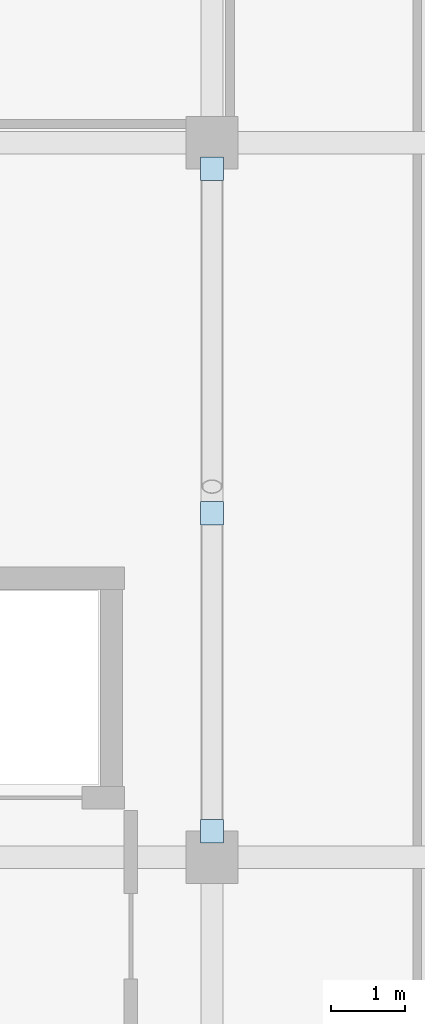
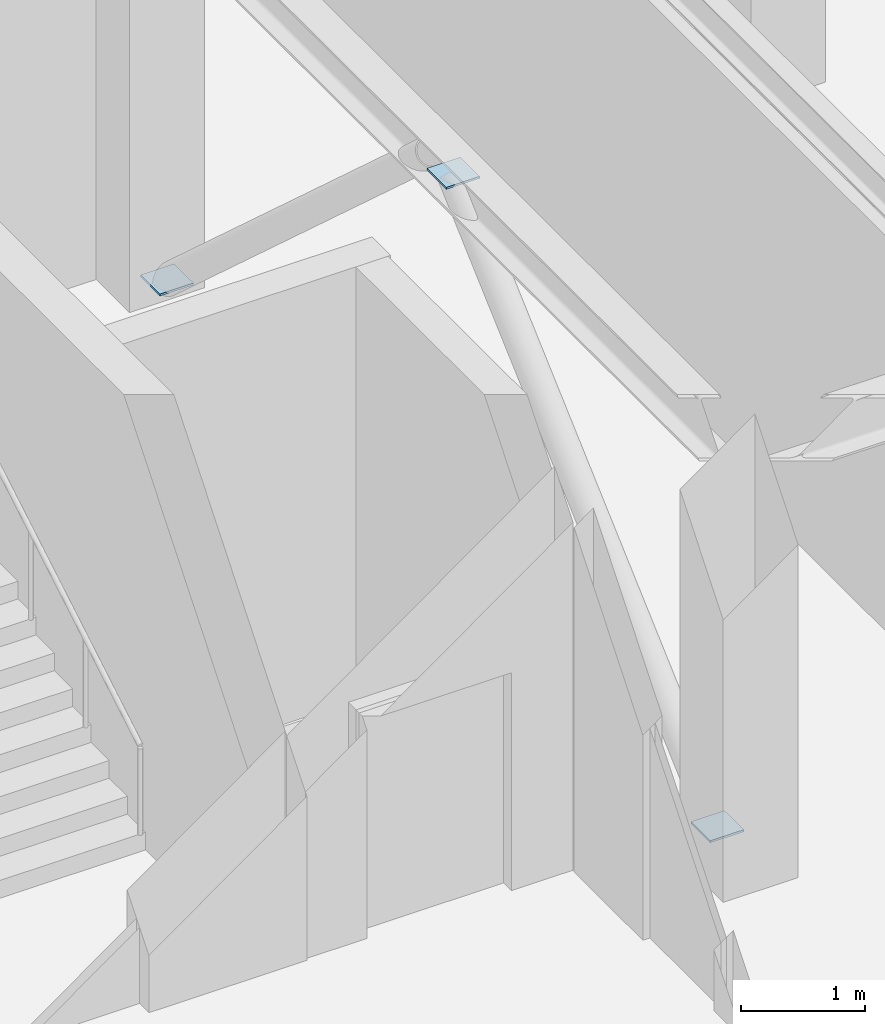
# One storey, part 16 of 32: 3 plates.
"""IFC4 building model written with IfcOpenShell, lengths in metres."""

from ifc_helpers import new_model, si_unit, direction, frame, origin, origin_2d, place, context, subcontext, project, spatial, rectangle, extrude, material, layer, layer_set, type_object, element, save


model = new_model("IFC4")

# Units and contexts
model_context = context("Model", 3, precision=1e-05, world=origin(), true_north=direction((0.0, 1.0)))
body_context = subcontext(model_context, "Body", "Model", "MODEL_VIEW")
ifc_project = project(units=[si_unit("LENGTHUNIT", "METRE"), si_unit("AREAUNIT", "SQUARE_METRE"), si_unit("VOLUMEUNIT", "CUBIC_METRE"), si_unit("PLANEANGLEUNIT", "RADIAN"), si_unit("MASSUNIT", "GRAM", prefix="KILO")], contexts=[model_context])

# Site, building, storey
site_placement = place(None, origin())
site = spatial("IfcSite", under=ifc_project, at=site_placement, CompositionType="ELEMENT")
building_placement = place(site_placement, origin())
building = spatial("IfcBuilding", under=site, at=building_placement, Name="Nordkorset Police Headquarters", CompositionType="ELEMENT")
storey_placement = place(building_placement, frame((0.0, 0.0, -4.550048828125)))
storey = spatial("IfcBuildingStorey", under=building, at=storey_placement, Name="B01", CompositionType="ELEMENT", Elevation=-4.550048828125)

# Plates
ifc_material = material(Name="Steel S355J2", Category="steel")
ifc_layer = layer(ifc_material, 0.02001953125, Name="Steel S355J2")
ifc_layer_set = layer_set([ifc_layer], Name="Steel S355J2")
plate_type = type_object("IfcPlateType", Name="SteelPlate_20mm", PredefinedType="SHEET", material=ifc_layer_set)
for number, where, z_axis, x_axis, name in (
    (1, (8.39990234375, 38.75, 0.18994140625), (0.0, 0.0, 1.0), (1.0, 0.0, 0.0), "Hollow Section End Cap Plate BF-V3-A-B01-D1-0"),
    (2, (8.39990234375, 43.02001953125, 4.050048828125), (0.0, 0.0, 1.0), (1.0, 0.0, 0.0), "Hollow Section End Cap Plate BF-V3-A-B01-D1-1"),
    (3, (8.39990234375, 47.64990234375, 0.18994140625), (0.0, 0.0, 1.0), (1.0, 0.0, 0.0), "Hollow Section End Cap Plate BF-V3-A-B01-D2-0"),
):
    element("IfcPlate", number, at=place(storey_placement, frame(where, z_axis=z_axis, x_axis=x_axis)), inside=storey, type_object=plate_type, Name=name, PredefinedType="SHEET", context=body_context, shape_type="SweptSolid", body=[
        extrude(rectangle(XDim=0.31298828125, YDim=0.31298828125, at=origin_2d()), origin(), (0.0, 0.0, 1.0), 0.02001953125),
    ])

save(model, "model.ifc")
